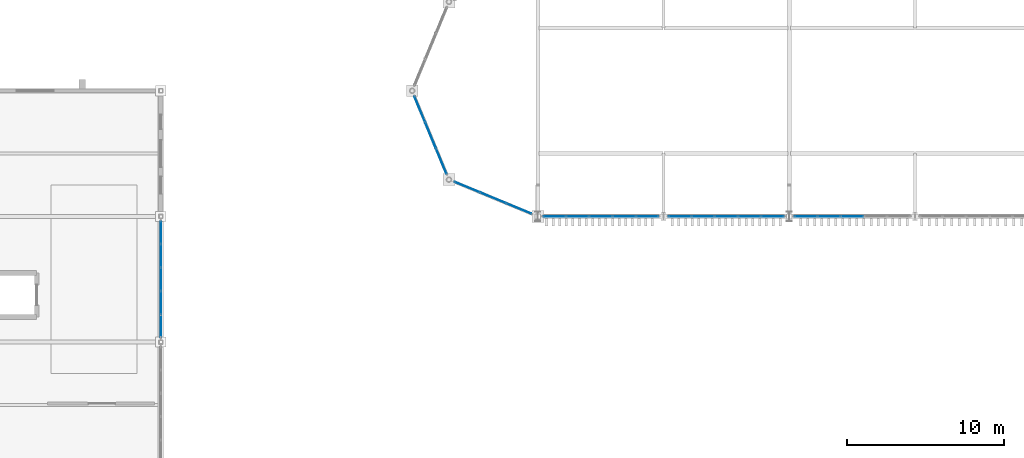
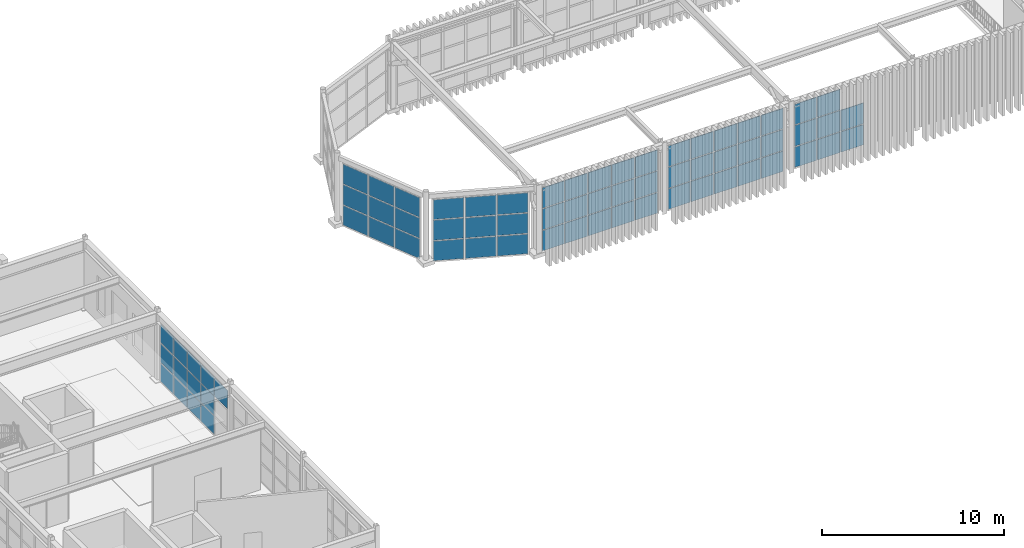
# One storey, part 36 of 61: 69 plates, 6 elements without a shape of their own.
"""IFC4 building model written with IfcOpenShell, lengths in metres."""

from ifc_helpers import new_model, si_unit, direction, frame, origin, origin_2d, place, context, subcontext, project, spatial, rectangle, extrude, material, layer, layer_set, type_object, element, aggregate, save


model = new_model("IFC4")

# Units and contexts
model_context = context("Model", 3, precision=1e-05, world=origin(), true_north=direction((0.0, 1.0)))
body_context = subcontext(model_context, "Body", "Model", "MODEL_VIEW")
ifc_project = project(units=[si_unit("LENGTHUNIT", "METRE"), si_unit("AREAUNIT", "SQUARE_METRE"), si_unit("VOLUMEUNIT", "CUBIC_METRE"), si_unit("PLANEANGLEUNIT", "RADIAN"), si_unit("MASSUNIT", "GRAM", prefix="KILO")], contexts=[model_context])

# Site, building, storey
site_placement = place(None, origin())
site = spatial("IfcSite", under=ifc_project, at=site_placement, CompositionType="ELEMENT")
building_placement = place(site_placement, origin())
building = spatial("IfcBuilding", under=site, at=building_placement, Name="Serraluz Foothill Cableway Terminal", CompositionType="ELEMENT")
storey_placement = place(building_placement, frame((0.0, 0.0, 15.0)))
storey = spatial("IfcBuildingStorey", under=building, at=storey_placement, Name="L03", CompositionType="ELEMENT", Elevation=15.0)

# Curtain wall, plates
ifc_material_1 = material(Name="Architectural bronze alloy C28000", Category="aluminium")
curtain_wall_type_1 = type_object("IfcCurtainWallType", Name="TYP-CW-480X420", PredefinedType="NOTDEFINED", material=ifc_material_1)
curtain_wall_1_placement = place(storey_placement, origin())
curtain_wall_1 = element("IfcCurtainWall", 1, at=curtain_wall_1_placement, inside=storey, type_object=curtain_wall_type_1, Name="Ribbed Glazed Curtain Wall CW-V5E-L03-48", PredefinedType="NOTDEFINED")
ifc_material_2 = material(Name="Translucent ribbed laminated channel glass", Category="glass")
ifc_layer_1 = layer(ifc_material_2, 0.028076171875, Name="Translucent ribbed laminated channel glass", Category="glass")
ifc_layer_set_1 = layer_set([ifc_layer_1], Name="Translucent ribbed laminated channel glass")
plate_type_1 = type_object("IfcPlateType", Name="TYP-CW-PNL-28", PredefinedType="CURTAIN_PANEL", material=ifc_layer_set_1)
plate_1_placement = place(storey_placement, frame((16.0, 54.972900390625, 0.06005859375), z_axis=(0.0, 0.0, 1.0), x_axis=(0.0, -1.0, 0.0)))
plate_1 = element("IfcPlate", 2, at=plate_1_placement, type_object=plate_type_1, Name="CW-15 panel 1.1", PredefinedType="CURTAIN_PANEL", context=body_context, shape_type="SweptSolid", body=[
    extrude(rectangle(XDim=1.404052734375, YDim=0.028076171875, at=origin_2d()), origin(), (0.0, 0.0, 1.0), 1.224609375),
])
plate_2_placement = place(storey_placement, frame((16.0, 54.972900390625, 1.3447265625), z_axis=(0.0, 0.0, 1.0), x_axis=(0.0, -1.0, 0.0)))
plate_2 = element("IfcPlate", 3, at=plate_2_placement, type_object=plate_type_1, Name="CW-15 panel 1.2", PredefinedType="CURTAIN_PANEL", context=body_context, shape_type="SweptSolid", body=[
    extrude(rectangle(XDim=1.404052734375, YDim=0.028076171875, at=origin_2d()), origin(), (0.0, 0.0, 1.0), 1.254638671875),
])
plate_3_placement = place(storey_placement, frame((16.0, 54.972900390625, 2.659423828125), z_axis=(0.0, 0.0, 1.0), x_axis=(0.0, -1.0, 0.0)))
plate_3 = element("IfcPlate", 4, at=plate_3_placement, type_object=plate_type_1, Name="CW-15 panel 1.3", PredefinedType="CURTAIN_PANEL", context=body_context, shape_type="SweptSolid", body=[
    extrude(rectangle(XDim=1.404052734375, YDim=0.028076171875, at=origin_2d()), origin(), (0.0, 0.0, 1.0), 1.224609375),
])
plate_4_placement = place(storey_placement, frame((16.0, 53.493896484375, 0.06005859375), z_axis=(0.0, 0.0, 1.0), x_axis=(0.0, -1.0, 0.0)))
plate_4 = element("IfcPlate", 5, at=plate_4_placement, type_object=plate_type_1, Name="CW-15 panel 2.1", PredefinedType="CURTAIN_PANEL", context=body_context, shape_type="SweptSolid", body=[
    extrude(rectangle(XDim=1.43408203125, YDim=0.028076171875, at=origin_2d()), origin(), (0.0, 0.0, 1.0), 1.224609375),
])
plate_5_placement = place(storey_placement, frame((16.0, 53.493896484375, 1.3447265625), z_axis=(0.0, 0.0, 1.0), x_axis=(0.0, -1.0, 0.0)))
plate_5 = element("IfcPlate", 6, at=plate_5_placement, type_object=plate_type_1, Name="CW-15 panel 2.2", PredefinedType="CURTAIN_PANEL", context=body_context, shape_type="SweptSolid", body=[
    extrude(rectangle(XDim=1.43408203125, YDim=0.028076171875, at=origin_2d()), origin(), (0.0, 0.0, 1.0), 1.254638671875),
])
plate_6_placement = place(storey_placement, frame((16.0, 53.493896484375, 2.659423828125), z_axis=(0.0, 0.0, 1.0), x_axis=(0.0, -1.0, 0.0)))
plate_6 = element("IfcPlate", 7, at=plate_6_placement, type_object=plate_type_1, Name="CW-15 panel 2.3", PredefinedType="CURTAIN_PANEL", context=body_context, shape_type="SweptSolid", body=[
    extrude(rectangle(XDim=1.43408203125, YDim=0.028076171875, at=origin_2d()), origin(), (0.0, 0.0, 1.0), 1.224609375),
])
plate_7_placement = place(storey_placement, frame((16.0, 52.0, 0.06005859375), z_axis=(0.0, 0.0, 1.0), x_axis=(0.0, -1.0, 0.0)))
plate_7 = element("IfcPlate", 8, at=plate_7_placement, type_object=plate_type_1, Name="CW-15 panel 3.1", PredefinedType="CURTAIN_PANEL", context=body_context, shape_type="SweptSolid", body=[
    extrude(rectangle(XDim=1.43408203125, YDim=0.028076171875, at=origin_2d()), origin(), (0.0, 0.0, 1.0), 1.224609375),
])
plate_8_placement = place(storey_placement, frame((16.0, 52.0, 1.3447265625), z_axis=(0.0, 0.0, 1.0), x_axis=(0.0, -1.0, 0.0)))
plate_8 = element("IfcPlate", 9, at=plate_8_placement, type_object=plate_type_1, Name="CW-15 panel 3.2", PredefinedType="CURTAIN_PANEL", context=body_context, shape_type="SweptSolid", body=[
    extrude(rectangle(XDim=1.43408203125, YDim=0.028076171875, at=origin_2d()), origin(), (0.0, 0.0, 1.0), 1.254638671875),
])
plate_9_placement = place(storey_placement, frame((16.0, 52.0, 2.659423828125), z_axis=(0.0, 0.0, 1.0), x_axis=(0.0, -1.0, 0.0)))
plate_9 = element("IfcPlate", 10, at=plate_9_placement, type_object=plate_type_1, Name="CW-15 panel 3.3", PredefinedType="CURTAIN_PANEL", context=body_context, shape_type="SweptSolid", body=[
    extrude(rectangle(XDim=1.43408203125, YDim=0.028076171875, at=origin_2d()), origin(), (0.0, 0.0, 1.0), 1.224609375),
])
plate_10_placement = place(storey_placement, frame((16.0, 50.506103515625, 0.06005859375), z_axis=(0.0, 0.0, 1.0), x_axis=(0.0, -1.0, 0.0)))
plate_10 = element("IfcPlate", 11, at=plate_10_placement, type_object=plate_type_1, Name="CW-15 panel 4.1", PredefinedType="CURTAIN_PANEL", context=body_context, shape_type="SweptSolid", body=[
    extrude(rectangle(XDim=1.43408203125, YDim=0.028076171875, at=origin_2d()), origin(), (0.0, 0.0, 1.0), 1.224609375),
])
plate_11_placement = place(storey_placement, frame((16.0, 50.506103515625, 1.3447265625), z_axis=(0.0, 0.0, 1.0), x_axis=(0.0, -1.0, 0.0)))
plate_11 = element("IfcPlate", 12, at=plate_11_placement, type_object=plate_type_1, Name="CW-15 panel 4.2", PredefinedType="CURTAIN_PANEL", context=body_context, shape_type="SweptSolid", body=[
    extrude(rectangle(XDim=1.43408203125, YDim=0.028076171875, at=origin_2d()), origin(), (0.0, 0.0, 1.0), 1.254638671875),
])
plate_12_placement = place(storey_placement, frame((16.0, 50.506103515625, 2.659423828125), z_axis=(0.0, 0.0, 1.0), x_axis=(0.0, -1.0, 0.0)))
plate_12 = element("IfcPlate", 13, at=plate_12_placement, type_object=plate_type_1, Name="CW-15 panel 4.3", PredefinedType="CURTAIN_PANEL", context=body_context, shape_type="SweptSolid", body=[
    extrude(rectangle(XDim=1.43408203125, YDim=0.028076171875, at=origin_2d()), origin(), (0.0, 0.0, 1.0), 1.224609375),
])
plate_13_placement = place(storey_placement, frame((16.0, 49.027099609375, 2.659423828125), z_axis=(0.0, 0.0, 1.0), x_axis=(0.0, -1.0, 0.0)))
plate_13 = element("IfcPlate", 14, at=plate_13_placement, type_object=plate_type_1, Name="CW-15 panel 5.3", PredefinedType="CURTAIN_PANEL", context=body_context, shape_type="SweptSolid", body=[
    extrude(rectangle(XDim=1.404052734375, YDim=0.028076171875, at=origin_2d()), origin(), (0.0, 0.0, 1.0), 1.224609375),
])
aggregate(curtain_wall_1, [plate_1, plate_2, plate_3, plate_4, plate_5, plate_6, plate_7, plate_8, plate_9, plate_10, plate_11, plate_12, plate_13])

curtain_wall_type_2 = type_object("IfcCurtainWallType", Name="TYP-CW-480X380", PredefinedType="NOTDEFINED", material=ifc_material_1)
curtain_wall_2_placement = place(storey_placement, origin())
curtain_wall_2 = element("IfcCurtainWall", 15, at=curtain_wall_2_placement, inside=storey, type_object=curtain_wall_type_2, Name="Ribbed Glazed Curtain Wall CW-V1-W-L03-1", PredefinedType="NOTDEFINED")
ifc_material_3 = material(Name="Laminated low-E safety glass", Category="glass")
ifc_layer_2 = layer(ifc_material_3, 0.031982421875, Name="Laminated low-E safety glass", Category="glass")
ifc_layer_set_2 = layer_set([ifc_layer_2], Name="Laminated low-E safety glass")
plate_type_2 = type_object("IfcPlateType", Name="TYP-CW-PNL-32", PredefinedType="CURTAIN_PANEL", material=ifc_layer_set_2)
plate_14_placement = place(storey_placement, frame((38.784423828125, 56.50341796875, 0.05517578125), z_axis=(0.0, 0.0, 1.0), x_axis=(-0.923880260537, 0.382681674752, 0.0)))
plate_14 = element("IfcPlate", 16, at=plate_14_placement, type_object=plate_type_2, Name="CW-14 panel 1.1", PredefinedType="CURTAIN_PANEL", context=body_context, shape_type="SweptSolid", body=[
    extrude(rectangle(XDim=1.705322265625, YDim=0.031982421875, at=origin_2d()), origin(), (0.0, 0.0, 1.0), 1.3173828125),
])
plate_15_placement = place(storey_placement, frame((38.784423828125, 56.50341796875, 1.427734375), z_axis=(0.0, 0.0, 1.0), x_axis=(-0.923880260537, 0.382681674752, 0.0)))
plate_15 = element("IfcPlate", 17, at=plate_15_placement, type_object=plate_type_2, Name="CW-14 panel 1.2", PredefinedType="CURTAIN_PANEL", context=body_context, shape_type="SweptSolid", body=[
    extrude(rectangle(XDim=1.705322265625, YDim=0.031982421875, at=origin_2d()), origin(), (0.0, 0.0, 1.0), 1.344970703125),
])
plate_16_placement = place(storey_placement, frame((38.784423828125, 56.50341796875, 2.82763671875), z_axis=(0.0, 0.0, 1.0), x_axis=(-0.923880260537, 0.382681674752, 0.0)))
plate_16 = element("IfcPlate", 18, at=plate_16_placement, type_object=plate_type_2, Name="CW-14 panel 1.3", PredefinedType="CURTAIN_PANEL", context=body_context, shape_type="SweptSolid", body=[
    extrude(rectangle(XDim=1.705322265625, YDim=0.031982421875, at=origin_2d()), origin(), (0.0, 0.0, 1.0), 1.3173828125),
])
plate_17_placement = place(storey_placement, frame((37.1455078125, 57.182373046875, 0.05517578125), z_axis=(0.0, 0.0, 1.0), x_axis=(-0.923880260537, 0.382681674752, 0.0)))
plate_17 = element("IfcPlate", 19, at=plate_17_placement, type_object=plate_type_2, Name="CW-14 panel 2.1", PredefinedType="CURTAIN_PANEL", context=body_context, shape_type="SweptSolid", body=[
    extrude(rectangle(XDim=1.73291015625, YDim=0.031982421875, at=origin_2d()), origin(), (0.0, 0.0, 1.0), 1.3173828125),
])
plate_18_placement = place(storey_placement, frame((37.1455078125, 57.182373046875, 1.427734375), z_axis=(0.0, 0.0, 1.0), x_axis=(-0.923880260537, 0.382681674752, 0.0)))
plate_18 = element("IfcPlate", 20, at=plate_18_placement, type_object=plate_type_2, Name="CW-14 panel 2.2", PredefinedType="CURTAIN_PANEL", context=body_context, shape_type="SweptSolid", body=[
    extrude(rectangle(XDim=1.73291015625, YDim=0.031982421875, at=origin_2d()), origin(), (0.0, 0.0, 1.0), 1.344970703125),
])
plate_19_placement = place(storey_placement, frame((37.1455078125, 57.182373046875, 2.82763671875), z_axis=(0.0, 0.0, 1.0), x_axis=(-0.923880260537, 0.382681674752, 0.0)))
plate_19 = element("IfcPlate", 21, at=plate_19_placement, type_object=plate_type_2, Name="CW-14 panel 2.3", PredefinedType="CURTAIN_PANEL", context=body_context, shape_type="SweptSolid", body=[
    extrude(rectangle(XDim=1.73291015625, YDim=0.031982421875, at=origin_2d()), origin(), (0.0, 0.0, 1.0), 1.3173828125),
])
plate_20_placement = place(storey_placement, frame((35.506591796875, 57.861328125, 0.05517578125), z_axis=(0.0, 0.0, 1.0), x_axis=(-0.923880260537, 0.382681674752, 0.0)))
plate_20 = element("IfcPlate", 22, at=plate_20_placement, type_object=plate_type_2, Name="CW-14 panel 3.1", PredefinedType="CURTAIN_PANEL", context=body_context, shape_type="SweptSolid", body=[
    extrude(rectangle(XDim=1.705322265625, YDim=0.031982421875, at=origin_2d()), origin(), (0.0, 0.0, 1.0), 1.3173828125),
])
plate_21_placement = place(storey_placement, frame((35.506591796875, 57.861328125, 1.427734375), z_axis=(0.0, 0.0, 1.0), x_axis=(-0.923880260537, 0.382681674752, 0.0)))
plate_21 = element("IfcPlate", 23, at=plate_21_placement, type_object=plate_type_2, Name="CW-14 panel 3.2", PredefinedType="CURTAIN_PANEL", context=body_context, shape_type="SweptSolid", body=[
    extrude(rectangle(XDim=1.705322265625, YDim=0.031982421875, at=origin_2d()), origin(), (0.0, 0.0, 1.0), 1.344970703125),
])
plate_22_placement = place(storey_placement, frame((35.506591796875, 57.861328125, 2.82763671875), z_axis=(0.0, 0.0, 1.0), x_axis=(-0.923880260537, 0.382681674752, 0.0)))
plate_22 = element("IfcPlate", 24, at=plate_22_placement, type_object=plate_type_2, Name="CW-14 panel 3.3", PredefinedType="CURTAIN_PANEL", context=body_context, shape_type="SweptSolid", body=[
    extrude(rectangle(XDim=1.705322265625, YDim=0.031982421875, at=origin_2d()), origin(), (0.0, 0.0, 1.0), 1.3173828125),
])
aggregate(curtain_wall_2, [plate_14, plate_15, plate_16, plate_17, plate_18, plate_19, plate_20, plate_21, plate_22])

curtain_wall_3_placement = place(storey_placement, origin())
curtain_wall_3 = element("IfcCurtainWall", 25, at=curtain_wall_3_placement, inside=storey, type_object=curtain_wall_type_1, Name="Ribbed Glazed Curtain Wall CW-V1-W-L03-2", PredefinedType="NOTDEFINED")
plate_23_placement = place(storey_placement, frame((33.857666015625, 59.51513671875, 0.05517578125), z_axis=(0.0, 0.0, 1.0), x_axis=(-0.382684759834, 0.923878982655, 0.0)))
plate_23 = element("IfcPlate", 26, at=plate_23_placement, type_object=plate_type_2, Name="CW-15 panel 1.1", PredefinedType="CURTAIN_PANEL", context=body_context, shape_type="SweptSolid", body=[
    extrude(rectangle(XDim=1.72412109375, YDim=0.031982421875, at=origin_2d()), origin(), (0.0, 0.0, 1.0), 1.3173828125),
])
plate_24_placement = place(storey_placement, frame((33.857666015625, 59.51513671875, 1.427734375), z_axis=(0.0, 0.0, 1.0), x_axis=(-0.382684759834, 0.923878982655, 0.0)))
plate_24 = element("IfcPlate", 27, at=plate_24_placement, type_object=plate_type_2, Name="CW-15 panel 1.2", PredefinedType="CURTAIN_PANEL", context=body_context, shape_type="SweptSolid", body=[
    extrude(rectangle(XDim=1.72412109375, YDim=0.031982421875, at=origin_2d()), origin(), (0.0, 0.0, 1.0), 1.344970703125),
])
plate_25_placement = place(storey_placement, frame((33.857666015625, 59.51513671875, 2.82763671875), z_axis=(0.0, 0.0, 1.0), x_axis=(-0.382684759834, 0.923878982655, 0.0)))
plate_25 = element("IfcPlate", 28, at=plate_25_placement, type_object=plate_type_2, Name="CW-15 panel 1.3", PredefinedType="CURTAIN_PANEL", context=body_context, shape_type="SweptSolid", body=[
    extrude(rectangle(XDim=1.72412109375, YDim=0.031982421875, at=origin_2d()), origin(), (0.0, 0.0, 1.0), 1.3173828125),
])
plate_26_placement = place(storey_placement, frame((33.171630859375, 61.171630859375, 0.05517578125), z_axis=(0.0, 0.0, 1.0), x_axis=(-0.382684759834, 0.923878982655, 0.0)))
plate_26 = element("IfcPlate", 29, at=plate_26_placement, type_object=plate_type_2, Name="CW-15 panel 2.1", PredefinedType="CURTAIN_PANEL", context=body_context, shape_type="SweptSolid", body=[
    extrude(rectangle(XDim=1.751708984375, YDim=0.031982421875, at=origin_2d()), origin(), (0.0, 0.0, 1.0), 1.3173828125),
])
plate_27_placement = place(storey_placement, frame((33.171630859375, 61.171630859375, 1.427734375), z_axis=(0.0, 0.0, 1.0), x_axis=(-0.382684759834, 0.923878982655, 0.0)))
plate_27 = element("IfcPlate", 30, at=plate_27_placement, type_object=plate_type_2, Name="CW-15 panel 2.2", PredefinedType="CURTAIN_PANEL", context=body_context, shape_type="SweptSolid", body=[
    extrude(rectangle(XDim=1.751708984375, YDim=0.031982421875, at=origin_2d()), origin(), (0.0, 0.0, 1.0), 1.344970703125),
])
plate_28_placement = place(storey_placement, frame((33.171630859375, 61.171630859375, 2.82763671875), z_axis=(0.0, 0.0, 1.0), x_axis=(-0.382684759834, 0.923878982655, 0.0)))
plate_28 = element("IfcPlate", 31, at=plate_28_placement, type_object=plate_type_2, Name="CW-15 panel 2.3", PredefinedType="CURTAIN_PANEL", context=body_context, shape_type="SweptSolid", body=[
    extrude(rectangle(XDim=1.751708984375, YDim=0.031982421875, at=origin_2d()), origin(), (0.0, 0.0, 1.0), 1.3173828125),
])
plate_29_placement = place(storey_placement, frame((32.4853515625, 62.827880859375, 0.05517578125), z_axis=(0.0, 0.0, 1.0), x_axis=(-0.382684759834, 0.923878982655, 0.0)))
plate_29 = element("IfcPlate", 32, at=plate_29_placement, type_object=plate_type_2, Name="CW-15 panel 3.1", PredefinedType="CURTAIN_PANEL", context=body_context, shape_type="SweptSolid", body=[
    extrude(rectangle(XDim=1.72412109375, YDim=0.031982421875, at=origin_2d()), origin(), (0.0, 0.0, 1.0), 1.3173828125),
])
plate_30_placement = place(storey_placement, frame((32.4853515625, 62.827880859375, 1.427734375), z_axis=(0.0, 0.0, 1.0), x_axis=(-0.382684759834, 0.923878982655, 0.0)))
plate_30 = element("IfcPlate", 33, at=plate_30_placement, type_object=plate_type_2, Name="CW-15 panel 3.2", PredefinedType="CURTAIN_PANEL", context=body_context, shape_type="SweptSolid", body=[
    extrude(rectangle(XDim=1.72412109375, YDim=0.031982421875, at=origin_2d()), origin(), (0.0, 0.0, 1.0), 1.344970703125),
])
plate_31_placement = place(storey_placement, frame((32.4853515625, 62.827880859375, 2.82763671875), z_axis=(0.0, 0.0, 1.0), x_axis=(-0.382684759834, 0.923878982655, 0.0)))
plate_31 = element("IfcPlate", 34, at=plate_31_placement, type_object=plate_type_2, Name="CW-15 panel 3.3", PredefinedType="CURTAIN_PANEL", context=body_context, shape_type="SweptSolid", body=[
    extrude(rectangle(XDim=1.72412109375, YDim=0.031982421875, at=origin_2d()), origin(), (0.0, 0.0, 1.0), 1.3173828125),
])
aggregate(curtain_wall_3, [plate_23, plate_24, plate_25, plate_26, plate_27, plate_28, plate_29, plate_30, plate_31])

curtain_wall_type_3 = type_object("IfcCurtainWallType", Name="TYP-CW-520X440", PredefinedType="NOTDEFINED", material=ifc_material_1)
curtain_wall_4_placement = place(storey_placement, origin())
curtain_wall_4 = element("IfcCurtainWall", 35, at=curtain_wall_4_placement, inside=storey, type_object=curtain_wall_type_3, Name="Ribbed Glazed Curtain Wall CW-V1S-L03-40", PredefinedType="NOTDEFINED")
ifc_layer_3 = layer(ifc_material_2, 0.0419921875, Name="Translucent ribbed laminated channel glass", Category="glass")
ifc_layer_set_3 = layer_set([ifc_layer_3], Name="Translucent ribbed laminated channel glass")
plate_type_3 = type_object("IfcPlateType", Name="TYP-CW-PNL-42", PredefinedType="CURTAIN_PANEL", material=ifc_layer_set_3)
plate_32_placement = place(storey_placement, frame((46.9619140625, 56.0, 0.06005859375), z_axis=(0.0, 0.0, 1.0), x_axis=(-1.0, 0.0, 0.0)))
plate_32 = element("IfcPlate", 36, at=plate_32_placement, type_object=plate_type_3, Name="CW-08 panel 1.1", PredefinedType="CURTAIN_PANEL", context=body_context, shape_type="SweptSolid", body=[
    extrude(rectangle(XDim=1.393310546875, YDim=0.0419921875, at=origin_2d()), origin(), (0.0, 0.0, 1.0), 1.360107421875),
])
plate_33_placement = place(storey_placement, frame((46.9619140625, 56.0, 1.47998046875), z_axis=(0.0, 0.0, 1.0), x_axis=(-1.0, 0.0, 0.0)))
plate_33 = element("IfcPlate", 37, at=plate_33_placement, type_object=plate_type_3, Name="CW-08 panel 1.2", PredefinedType="CURTAIN_PANEL", context=body_context, shape_type="SweptSolid", body=[
    extrude(rectangle(XDim=1.393310546875, YDim=0.0419921875, at=origin_2d()), origin(), (0.0, 0.0, 1.0), 1.389892578125),
])
plate_34_placement = place(storey_placement, frame((46.9619140625, 56.0, 2.93017578125), z_axis=(0.0, 0.0, 1.0), x_axis=(-1.0, 0.0, 0.0)))
plate_34 = element("IfcPlate", 38, at=plate_34_placement, type_object=plate_type_3, Name="CW-08 panel 1.3", PredefinedType="CURTAIN_PANEL", context=body_context, shape_type="SweptSolid", body=[
    extrude(rectangle(XDim=1.393310546875, YDim=0.0419921875, at=origin_2d()), origin(), (0.0, 0.0, 1.0), 1.360107421875),
])
plate_35_placement = place(storey_placement, frame((45.49365234375, 56.0, 0.06005859375), z_axis=(0.0, 0.0, 1.0), x_axis=(-1.0, 0.0, 0.0)))
plate_35 = element("IfcPlate", 39, at=plate_35_placement, type_object=plate_type_3, Name="CW-08 panel 2.1", PredefinedType="CURTAIN_PANEL", context=body_context, shape_type="SweptSolid", body=[
    extrude(rectangle(XDim=1.423095703125, YDim=0.0419921875, at=origin_2d()), origin(), (0.0, 0.0, 1.0), 1.360107421875),
])
plate_36_placement = place(storey_placement, frame((45.49365234375, 56.0, 1.47998046875), z_axis=(0.0, 0.0, 1.0), x_axis=(-1.0, 0.0, 0.0)))
plate_36 = element("IfcPlate", 40, at=plate_36_placement, type_object=plate_type_3, Name="CW-08 panel 2.2", PredefinedType="CURTAIN_PANEL", context=body_context, shape_type="SweptSolid", body=[
    extrude(rectangle(XDim=1.423095703125, YDim=0.0419921875, at=origin_2d()), origin(), (0.0, 0.0, 1.0), 1.389892578125),
])
plate_37_placement = place(storey_placement, frame((45.49365234375, 56.0, 2.93017578125), z_axis=(0.0, 0.0, 1.0), x_axis=(-1.0, 0.0, 0.0)))
plate_37 = element("IfcPlate", 41, at=plate_37_placement, type_object=plate_type_3, Name="CW-08 panel 2.3", PredefinedType="CURTAIN_PANEL", context=body_context, shape_type="SweptSolid", body=[
    extrude(rectangle(XDim=1.423095703125, YDim=0.0419921875, at=origin_2d()), origin(), (0.0, 0.0, 1.0), 1.360107421875),
])
plate_38_placement = place(storey_placement, frame((44.010498046875, 56.0, 0.06005859375), z_axis=(0.0, 0.0, 1.0), x_axis=(-1.0, 0.0, 0.0)))
plate_38 = element("IfcPlate", 42, at=plate_38_placement, type_object=plate_type_3, Name="CW-08 panel 3.1", PredefinedType="CURTAIN_PANEL", context=body_context, shape_type="SweptSolid", body=[
    extrude(rectangle(XDim=1.423095703125, YDim=0.0419921875, at=origin_2d()), origin(), (0.0, 0.0, 1.0), 1.360107421875),
])
plate_39_placement = place(storey_placement, frame((44.010498046875, 56.0, 1.47998046875), z_axis=(0.0, 0.0, 1.0), x_axis=(-1.0, 0.0, 0.0)))
plate_39 = element("IfcPlate", 43, at=plate_39_placement, type_object=plate_type_3, Name="CW-08 panel 3.2", PredefinedType="CURTAIN_PANEL", context=body_context, shape_type="SweptSolid", body=[
    extrude(rectangle(XDim=1.423095703125, YDim=0.0419921875, at=origin_2d()), origin(), (0.0, 0.0, 1.0), 1.389892578125),
])
plate_40_placement = place(storey_placement, frame((44.010498046875, 56.0, 2.93017578125), z_axis=(0.0, 0.0, 1.0), x_axis=(-1.0, 0.0, 0.0)))
plate_40 = element("IfcPlate", 44, at=plate_40_placement, type_object=plate_type_3, Name="CW-08 panel 3.3", PredefinedType="CURTAIN_PANEL", context=body_context, shape_type="SweptSolid", body=[
    extrude(rectangle(XDim=1.423095703125, YDim=0.0419921875, at=origin_2d()), origin(), (0.0, 0.0, 1.0), 1.360107421875),
])
plate_41_placement = place(storey_placement, frame((42.52734375, 56.0, 0.06005859375), z_axis=(0.0, 0.0, 1.0), x_axis=(-1.0, 0.0, 0.0)))
plate_41 = element("IfcPlate", 45, at=plate_41_placement, type_object=plate_type_3, Name="CW-08 panel 4.1", PredefinedType="CURTAIN_PANEL", context=body_context, shape_type="SweptSolid", body=[
    extrude(rectangle(XDim=1.423095703125, YDim=0.0419921875, at=origin_2d()), origin(), (0.0, 0.0, 1.0), 1.360107421875),
])
plate_42_placement = place(storey_placement, frame((42.52734375, 56.0, 1.47998046875), z_axis=(0.0, 0.0, 1.0), x_axis=(-1.0, 0.0, 0.0)))
plate_42 = element("IfcPlate", 46, at=plate_42_placement, type_object=plate_type_3, Name="CW-08 panel 4.2", PredefinedType="CURTAIN_PANEL", context=body_context, shape_type="SweptSolid", body=[
    extrude(rectangle(XDim=1.423095703125, YDim=0.0419921875, at=origin_2d()), origin(), (0.0, 0.0, 1.0), 1.389892578125),
])
plate_43_placement = place(storey_placement, frame((42.52734375, 56.0, 2.93017578125), z_axis=(0.0, 0.0, 1.0), x_axis=(-1.0, 0.0, 0.0)))
plate_43 = element("IfcPlate", 47, at=plate_43_placement, type_object=plate_type_3, Name="CW-08 panel 4.3", PredefinedType="CURTAIN_PANEL", context=body_context, shape_type="SweptSolid", body=[
    extrude(rectangle(XDim=1.423095703125, YDim=0.0419921875, at=origin_2d()), origin(), (0.0, 0.0, 1.0), 1.360107421875),
])
plate_44_placement = place(storey_placement, frame((41.05908203125, 56.0, 0.06005859375), z_axis=(0.0, 0.0, 1.0), x_axis=(-1.0, 0.0, 0.0)))
plate_44 = element("IfcPlate", 48, at=plate_44_placement, type_object=plate_type_3, Name="CW-08 panel 5.1", PredefinedType="CURTAIN_PANEL", context=body_context, shape_type="SweptSolid", body=[
    extrude(rectangle(XDim=1.393310546875, YDim=0.0419921875, at=origin_2d()), origin(), (0.0, 0.0, 1.0), 1.360107421875),
])
plate_45_placement = place(storey_placement, frame((41.05908203125, 56.0, 1.47998046875), z_axis=(0.0, 0.0, 1.0), x_axis=(-1.0, 0.0, 0.0)))
plate_45 = element("IfcPlate", 49, at=plate_45_placement, type_object=plate_type_3, Name="CW-08 panel 5.2", PredefinedType="CURTAIN_PANEL", context=body_context, shape_type="SweptSolid", body=[
    extrude(rectangle(XDim=1.393310546875, YDim=0.0419921875, at=origin_2d()), origin(), (0.0, 0.0, 1.0), 1.389892578125),
])
plate_46_placement = place(storey_placement, frame((41.05908203125, 56.0, 2.93017578125), z_axis=(0.0, 0.0, 1.0), x_axis=(-1.0, 0.0, 0.0)))
plate_46 = element("IfcPlate", 50, at=plate_46_placement, type_object=plate_type_3, Name="CW-08 panel 5.3", PredefinedType="CURTAIN_PANEL", context=body_context, shape_type="SweptSolid", body=[
    extrude(rectangle(XDim=1.393310546875, YDim=0.0419921875, at=origin_2d()), origin(), (0.0, 0.0, 1.0), 1.360107421875),
])
aggregate(curtain_wall_4, [plate_32, plate_33, plate_34, plate_35, plate_36, plate_37, plate_38, plate_39, plate_40, plate_41, plate_42, plate_43, plate_44, plate_45, plate_46])

curtain_wall_type_4 = type_object("IfcCurtainWallType", Name="TYP-CW-520X480", PredefinedType="NOTDEFINED", material=ifc_material_1)
curtain_wall_5_placement = place(storey_placement, origin())
curtain_wall_5 = element("IfcCurtainWall", 51, at=curtain_wall_5_placement, inside=storey, type_object=curtain_wall_type_4, Name="Ribbed Glazed Curtain Wall CW-V1S-L03-48", PredefinedType="NOTDEFINED")
plate_47_placement = place(storey_placement, frame((54.94091796875, 56.0, 0.06005859375), z_axis=(0.0, 0.0, 1.0), x_axis=(-1.0, 0.0, 0.0)))
plate_47 = element("IfcPlate", 52, at=plate_47_placement, type_object=plate_type_3, Name="CW-09 panel 1.1", PredefinedType="CURTAIN_PANEL", context=body_context, shape_type="SweptSolid", body=[
    extrude(rectangle(XDim=1.393310546875, YDim=0.0419921875, at=origin_2d()), origin(), (0.0, 0.0, 1.0), 1.360107421875),
])
plate_48_placement = place(storey_placement, frame((54.94091796875, 56.0, 1.47998046875), z_axis=(0.0, 0.0, 1.0), x_axis=(-1.0, 0.0, 0.0)))
plate_48 = element("IfcPlate", 53, at=plate_48_placement, type_object=plate_type_3, Name="CW-09 panel 1.2", PredefinedType="CURTAIN_PANEL", context=body_context, shape_type="SweptSolid", body=[
    extrude(rectangle(XDim=1.393310546875, YDim=0.0419921875, at=origin_2d()), origin(), (0.0, 0.0, 1.0), 1.389892578125),
])
plate_49_placement = place(storey_placement, frame((54.94091796875, 56.0, 2.93017578125), z_axis=(0.0, 0.0, 1.0), x_axis=(-1.0, 0.0, 0.0)))
plate_49 = element("IfcPlate", 54, at=plate_49_placement, type_object=plate_type_3, Name="CW-09 panel 1.3", PredefinedType="CURTAIN_PANEL", context=body_context, shape_type="SweptSolid", body=[
    extrude(rectangle(XDim=1.393310546875, YDim=0.0419921875, at=origin_2d()), origin(), (0.0, 0.0, 1.0), 1.360107421875),
])
plate_50_placement = place(storey_placement, frame((53.47265625, 56.0, 0.06005859375), z_axis=(0.0, 0.0, 1.0), x_axis=(-1.0, 0.0, 0.0)))
plate_50 = element("IfcPlate", 55, at=plate_50_placement, type_object=plate_type_3, Name="CW-09 panel 2.1", PredefinedType="CURTAIN_PANEL", context=body_context, shape_type="SweptSolid", body=[
    extrude(rectangle(XDim=1.423095703125, YDim=0.0419921875, at=origin_2d()), origin(), (0.0, 0.0, 1.0), 1.360107421875),
])
plate_51_placement = place(storey_placement, frame((53.47265625, 56.0, 1.47998046875), z_axis=(0.0, 0.0, 1.0), x_axis=(-1.0, 0.0, 0.0)))
plate_51 = element("IfcPlate", 56, at=plate_51_placement, type_object=plate_type_3, Name="CW-09 panel 2.2", PredefinedType="CURTAIN_PANEL", context=body_context, shape_type="SweptSolid", body=[
    extrude(rectangle(XDim=1.423095703125, YDim=0.0419921875, at=origin_2d()), origin(), (0.0, 0.0, 1.0), 1.389892578125),
])
plate_52_placement = place(storey_placement, frame((53.47265625, 56.0, 2.93017578125), z_axis=(0.0, 0.0, 1.0), x_axis=(-1.0, 0.0, 0.0)))
plate_52 = element("IfcPlate", 57, at=plate_52_placement, type_object=plate_type_3, Name="CW-09 panel 2.3", PredefinedType="CURTAIN_PANEL", context=body_context, shape_type="SweptSolid", body=[
    extrude(rectangle(XDim=1.423095703125, YDim=0.0419921875, at=origin_2d()), origin(), (0.0, 0.0, 1.0), 1.360107421875),
])
plate_53_placement = place(storey_placement, frame((51.989501953125, 56.0, 0.06005859375), z_axis=(0.0, 0.0, 1.0), x_axis=(-1.0, 0.0, 0.0)))
plate_53 = element("IfcPlate", 58, at=plate_53_placement, type_object=plate_type_3, Name="CW-09 panel 3.1", PredefinedType="CURTAIN_PANEL", context=body_context, shape_type="SweptSolid", body=[
    extrude(rectangle(XDim=1.423095703125, YDim=0.0419921875, at=origin_2d()), origin(), (0.0, 0.0, 1.0), 1.360107421875),
])
plate_54_placement = place(storey_placement, frame((51.989501953125, 56.0, 1.47998046875), z_axis=(0.0, 0.0, 1.0), x_axis=(-1.0, 0.0, 0.0)))
plate_54 = element("IfcPlate", 59, at=plate_54_placement, type_object=plate_type_3, Name="CW-09 panel 3.2", PredefinedType="CURTAIN_PANEL", context=body_context, shape_type="SweptSolid", body=[
    extrude(rectangle(XDim=1.423095703125, YDim=0.0419921875, at=origin_2d()), origin(), (0.0, 0.0, 1.0), 1.389892578125),
])
plate_55_placement = place(storey_placement, frame((51.989501953125, 56.0, 2.93017578125), z_axis=(0.0, 0.0, 1.0), x_axis=(-1.0, 0.0, 0.0)))
plate_55 = element("IfcPlate", 60, at=plate_55_placement, type_object=plate_type_3, Name="CW-09 panel 3.3", PredefinedType="CURTAIN_PANEL", context=body_context, shape_type="SweptSolid", body=[
    extrude(rectangle(XDim=1.423095703125, YDim=0.0419921875, at=origin_2d()), origin(), (0.0, 0.0, 1.0), 1.360107421875),
])
plate_56_placement = place(storey_placement, frame((50.50634765625, 56.0, 0.06005859375), z_axis=(0.0, 0.0, 1.0), x_axis=(-1.0, 0.0, 0.0)))
plate_56 = element("IfcPlate", 61, at=plate_56_placement, type_object=plate_type_3, Name="CW-09 panel 4.1", PredefinedType="CURTAIN_PANEL", context=body_context, shape_type="SweptSolid", body=[
    extrude(rectangle(XDim=1.423095703125, YDim=0.0419921875, at=origin_2d()), origin(), (0.0, 0.0, 1.0), 1.360107421875),
])
plate_57_placement = place(storey_placement, frame((50.50634765625, 56.0, 1.47998046875), z_axis=(0.0, 0.0, 1.0), x_axis=(-1.0, 0.0, 0.0)))
plate_57 = element("IfcPlate", 62, at=plate_57_placement, type_object=plate_type_3, Name="CW-09 panel 4.2", PredefinedType="CURTAIN_PANEL", context=body_context, shape_type="SweptSolid", body=[
    extrude(rectangle(XDim=1.423095703125, YDim=0.0419921875, at=origin_2d()), origin(), (0.0, 0.0, 1.0), 1.389892578125),
])
plate_58_placement = place(storey_placement, frame((50.50634765625, 56.0, 2.93017578125), z_axis=(0.0, 0.0, 1.0), x_axis=(-1.0, 0.0, 0.0)))
plate_58 = element("IfcPlate", 63, at=plate_58_placement, type_object=plate_type_3, Name="CW-09 panel 4.3", PredefinedType="CURTAIN_PANEL", context=body_context, shape_type="SweptSolid", body=[
    extrude(rectangle(XDim=1.423095703125, YDim=0.0419921875, at=origin_2d()), origin(), (0.0, 0.0, 1.0), 1.360107421875),
])
plate_59_placement = place(storey_placement, frame((49.0380859375, 56.0, 0.06005859375), z_axis=(0.0, 0.0, 1.0), x_axis=(-1.0, 0.0, 0.0)))
plate_59 = element("IfcPlate", 64, at=plate_59_placement, type_object=plate_type_3, Name="CW-09 panel 5.1", PredefinedType="CURTAIN_PANEL", context=body_context, shape_type="SweptSolid", body=[
    extrude(rectangle(XDim=1.393310546875, YDim=0.0419921875, at=origin_2d()), origin(), (0.0, 0.0, 1.0), 1.360107421875),
])
plate_60_placement = place(storey_placement, frame((49.0380859375, 56.0, 1.47998046875), z_axis=(0.0, 0.0, 1.0), x_axis=(-1.0, 0.0, 0.0)))
plate_60 = element("IfcPlate", 65, at=plate_60_placement, type_object=plate_type_3, Name="CW-09 panel 5.2", PredefinedType="CURTAIN_PANEL", context=body_context, shape_type="SweptSolid", body=[
    extrude(rectangle(XDim=1.393310546875, YDim=0.0419921875, at=origin_2d()), origin(), (0.0, 0.0, 1.0), 1.389892578125),
])
plate_61_placement = place(storey_placement, frame((49.0380859375, 56.0, 2.93017578125), z_axis=(0.0, 0.0, 1.0), x_axis=(-1.0, 0.0, 0.0)))
plate_61 = element("IfcPlate", 66, at=plate_61_placement, type_object=plate_type_3, Name="CW-09 panel 5.3", PredefinedType="CURTAIN_PANEL", context=body_context, shape_type="SweptSolid", body=[
    extrude(rectangle(XDim=1.393310546875, YDim=0.0419921875, at=origin_2d()), origin(), (0.0, 0.0, 1.0), 1.360107421875),
])
aggregate(curtain_wall_5, [plate_47, plate_48, plate_49, plate_50, plate_51, plate_52, plate_53, plate_54, plate_55, plate_56, plate_57, plate_58, plate_59, plate_60, plate_61])

curtain_wall_type_5 = type_object("IfcCurtainWallType", Name="TYP-CW-540X420", PredefinedType="NOTDEFINED", material=ifc_material_1)
curtain_wall_6_placement = place(storey_placement, origin())
curtain_wall_6 = element("IfcCurtainWall", 67, at=curtain_wall_6_placement, inside=storey, type_object=curtain_wall_type_5, Name="Ribbed Glazed Curtain Wall CW-V1S-L03-56", PredefinedType="NOTDEFINED")
plate_62_placement = place(storey_placement, frame((60.010498046875, 56.0, 0.06005859375), z_axis=(0.0, 0.0, 1.0), x_axis=(-1.0, 0.0, 0.0)))
plate_62 = element("IfcPlate", 68, at=plate_62_placement, type_object=plate_type_3, Name="CW-10 panel 3.1", PredefinedType="CURTAIN_PANEL", context=body_context, shape_type="SweptSolid", body=[
    extrude(rectangle(XDim=1.423095703125, YDim=0.0419921875, at=origin_2d()), origin(), (0.0, 0.0, 1.0), 1.360107421875),
])
plate_63_placement = place(storey_placement, frame((60.010498046875, 56.0, 1.47998046875), z_axis=(0.0, 0.0, 1.0), x_axis=(-1.0, 0.0, 0.0)))
plate_63 = element("IfcPlate", 69, at=plate_63_placement, type_object=plate_type_3, Name="CW-10 panel 3.2", PredefinedType="CURTAIN_PANEL", context=body_context, shape_type="SweptSolid", body=[
    extrude(rectangle(XDim=1.423095703125, YDim=0.0419921875, at=origin_2d()), origin(), (0.0, 0.0, 1.0), 1.389892578125),
])
plate_64_placement = place(storey_placement, frame((58.52734375, 56.0, 0.06005859375), z_axis=(0.0, 0.0, 1.0), x_axis=(-1.0, 0.0, 0.0)))
plate_64 = element("IfcPlate", 70, at=plate_64_placement, type_object=plate_type_3, Name="CW-10 panel 4.1", PredefinedType="CURTAIN_PANEL", context=body_context, shape_type="SweptSolid", body=[
    extrude(rectangle(XDim=1.423095703125, YDim=0.0419921875, at=origin_2d()), origin(), (0.0, 0.0, 1.0), 1.360107421875),
])
plate_65_placement = place(storey_placement, frame((58.52734375, 56.0, 1.47998046875), z_axis=(0.0, 0.0, 1.0), x_axis=(-1.0, 0.0, 0.0)))
plate_65 = element("IfcPlate", 71, at=plate_65_placement, type_object=plate_type_3, Name="CW-10 panel 4.2", PredefinedType="CURTAIN_PANEL", context=body_context, shape_type="SweptSolid", body=[
    extrude(rectangle(XDim=1.423095703125, YDim=0.0419921875, at=origin_2d()), origin(), (0.0, 0.0, 1.0), 1.389892578125),
])
plate_66_placement = place(storey_placement, frame((58.52734375, 56.0, 2.93017578125), z_axis=(0.0, 0.0, 1.0), x_axis=(-1.0, 0.0, 0.0)))
plate_66 = element("IfcPlate", 72, at=plate_66_placement, type_object=plate_type_3, Name="CW-10 panel 4.3", PredefinedType="CURTAIN_PANEL", context=body_context, shape_type="SweptSolid", body=[
    extrude(rectangle(XDim=1.423095703125, YDim=0.0419921875, at=origin_2d()), origin(), (0.0, 0.0, 1.0), 1.360107421875),
])
plate_67_placement = place(storey_placement, frame((57.05908203125, 56.0, 0.06005859375), z_axis=(0.0, 0.0, 1.0), x_axis=(-1.0, 0.0, 0.0)))
plate_67 = element("IfcPlate", 73, at=plate_67_placement, type_object=plate_type_3, Name="CW-10 panel 5.1", PredefinedType="CURTAIN_PANEL", context=body_context, shape_type="SweptSolid", body=[
    extrude(rectangle(XDim=1.393310546875, YDim=0.0419921875, at=origin_2d()), origin(), (0.0, 0.0, 1.0), 1.360107421875),
])
plate_68_placement = place(storey_placement, frame((57.05908203125, 56.0, 1.47998046875), z_axis=(0.0, 0.0, 1.0), x_axis=(-1.0, 0.0, 0.0)))
plate_68 = element("IfcPlate", 74, at=plate_68_placement, type_object=plate_type_3, Name="CW-10 panel 5.2", PredefinedType="CURTAIN_PANEL", context=body_context, shape_type="SweptSolid", body=[
    extrude(rectangle(XDim=1.393310546875, YDim=0.0419921875, at=origin_2d()), origin(), (0.0, 0.0, 1.0), 1.389892578125),
])
plate_69_placement = place(storey_placement, frame((57.05908203125, 56.0, 2.93017578125), z_axis=(0.0, 0.0, 1.0), x_axis=(-1.0, 0.0, 0.0)))
plate_69 = element("IfcPlate", 75, at=plate_69_placement, type_object=plate_type_3, Name="CW-10 panel 5.3", PredefinedType="CURTAIN_PANEL", context=body_context, shape_type="SweptSolid", body=[
    extrude(rectangle(XDim=1.393310546875, YDim=0.0419921875, at=origin_2d()), origin(), (0.0, 0.0, 1.0), 1.360107421875),
])
aggregate(curtain_wall_6, [plate_62, plate_63, plate_64, plate_65, plate_66, plate_67, plate_68, plate_69])

save(model, "model.ifc")
